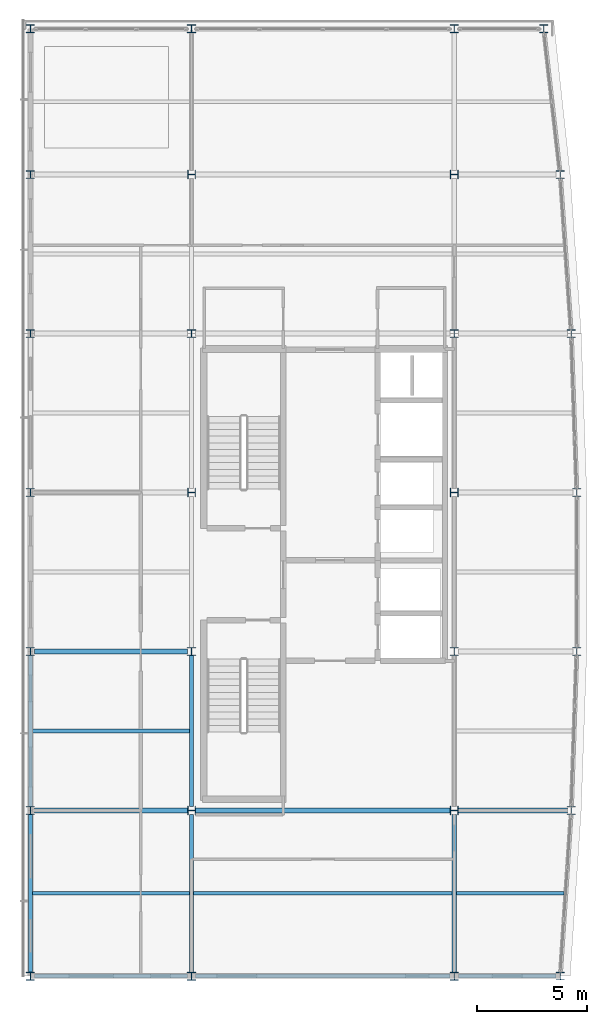
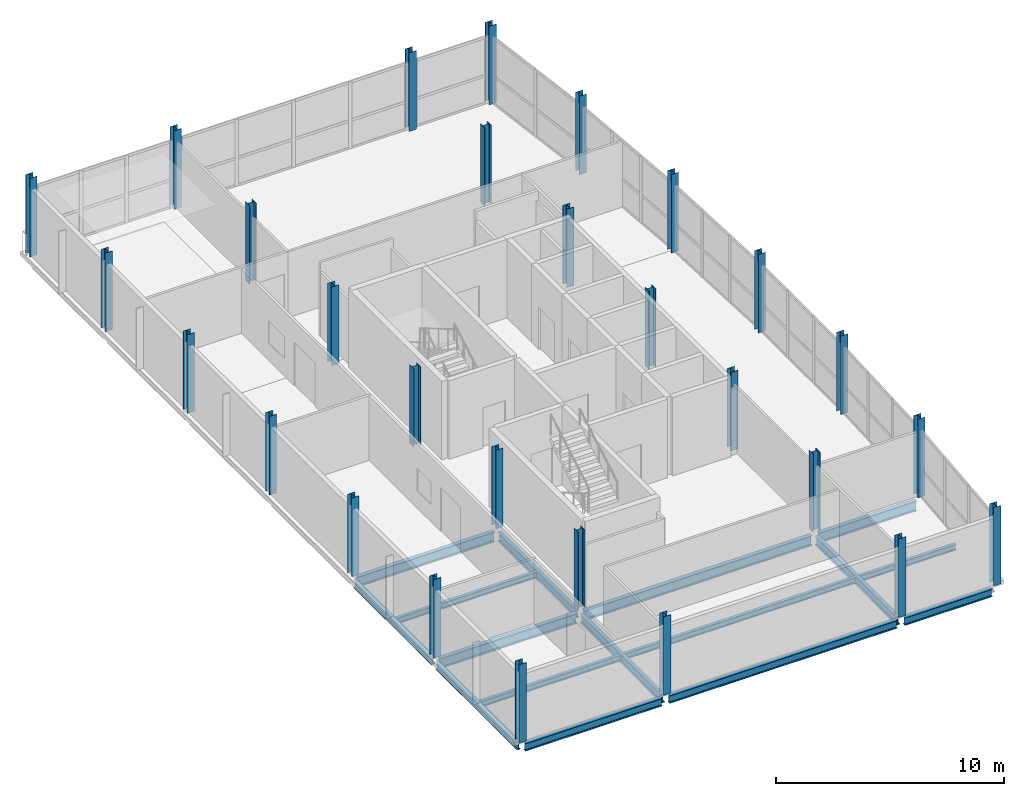
# One storey, part 1 of 17: 28 columns, 16 beams.
"""IFC4 building model written with IfcOpenShell, lengths in metres."""

import ifcopenshell
import ifcopenshell.guid

model = None  # the IFC model being written
_history = None  # IfcOwnerHistory: only IFC2X3 demands one
_inside = {}  # id of a spatial element -> (the spatial element, [elements in it])
_under = {}  # id of a project, library or spatial element -> (it, [spatial elements below it])
_declared = {}  # id of a project -> (the project, [libraries it declares])
_typed = {}  # id of a type object -> (the type object, [elements of that type])
_made_of = {}  # id of a material, layer set ... -> (it, [elements and type objects made of it])


def new_model(schema):
    """Start an empty IFC model of exactly this schema.

    Asked for "IFC4X3", IfcOpenShell would pick the latest addendum, in which some entities
    have other attributes; the version numbers below select the first issue.
    IFC2X3 requires an IfcOwnerHistory on every rooted entity: one is made here for all.
    """
    global model, _history
    if schema == "IFC4X3":
        model = ifcopenshell.file(schema_version=(4, 3, 0, 0))
    else:
        model = ifcopenshell.file(schema=schema)
    _inside.clear()
    _under.clear()
    _declared.clear()
    _typed.clear()
    _made_of.clear()
    _history = None
    if model.schema == "IFC2X3":
        org = make("IfcOrganization", Name="unknown")
        user = make(
            "IfcPersonAndOrganization",
            ThePerson=make("IfcPerson", FamilyName="unknown"),
            TheOrganization=org,
        )
        app = make(
            "IfcApplication",
            ApplicationDeveloper=org,
            Version="unknown",
            ApplicationFullName="unknown",
            ApplicationIdentifier="unknown",
        )
        _history = make(
            "IfcOwnerHistory",
            OwningUser=user,
            OwningApplication=app,
            ChangeAction="ADDED",
            CreationDate=0,
        )
    return model


def make(cls, **values):
    """One entity of the class cls with the attributes given. An attribute that is None is left unset."""
    return model.create_entity(
        cls, **{name: value for name, value in values.items() if value is not None}
    )


def rooted(cls, **values):
    """An entity with a GlobalId (a new one), such as an element, a storey or a relation."""
    return make(cls, GlobalId=ifcopenshell.guid.new(), OwnerHistory=_history, **values)


def si_unit(unit_type, name, prefix=None):
    """IfcSIUnit, for example si_unit("LENGTHUNIT", "METRE", prefix="MILLI")."""
    return make("IfcSIUnit", UnitType=unit_type, Prefix=prefix, Name=name)


def assignment(units):
    """IfcUnitAssignment: the units of a project."""
    return None if units is None else make("IfcUnitAssignment", Units=units)


def point(xyz):
    """IfcCartesianPoint."""
    return None if xyz is None else make("IfcCartesianPoint", Coordinates=xyz)


def direction(xyz):
    """IfcDirection."""
    return None if xyz is None else make("IfcDirection", DirectionRatios=xyz)


def frame(location, z_axis=None, x_axis=None):
    """IfcAxis2Placement3D, a coordinate frame: its origin and axes. An axis left out is left unset."""
    return make(
        "IfcAxis2Placement3D",
        Location=point(location),
        Axis=direction(z_axis),
        RefDirection=direction(x_axis),
    )


def frame_2d(location, x_axis=None):
    """IfcAxis2Placement2D, a coordinate frame in the plane: its origin and x axis."""
    return make(
        "IfcAxis2Placement2D", Location=point(location), RefDirection=direction(x_axis)
    )


def origin():
    """The frame at (0, 0, 0) with its axes left unset."""
    return frame((0.0, 0.0, 0.0))


def origin_2d():
    """The frame at (0, 0) in the plane with its x axis left unset."""
    return frame_2d((0.0, 0.0))


def place(relative_to, where):
    """IfcLocalPlacement: puts the frame where relative to a parent placement (None: the world)."""
    return make(
        "IfcLocalPlacement", PlacementRelTo=relative_to, RelativePlacement=where
    )


def context(
    kind, dimensions, precision=None, world=None, true_north=None, identifier=None
):
    """IfcGeometricRepresentationContext, for example the 3D "Model" context."""
    return make(
        "IfcGeometricRepresentationContext",
        ContextIdentifier=identifier,
        ContextType=kind,
        CoordinateSpaceDimension=dimensions,
        Precision=precision,
        WorldCoordinateSystem=world,
        TrueNorth=true_north,
    )


def subcontext(parent, identifier, kind, view, scale=None):
    """IfcGeometricRepresentationSubContext, for example "Body" below "Model"."""
    return make(
        "IfcGeometricRepresentationSubContext",
        ContextIdentifier=identifier,
        ContextType=kind,
        ParentContext=parent,
        TargetScale=scale,
        TargetView=view,
    )


def project(units=None, contexts=None):
    """IfcProject with its units and contexts."""
    return rooted(
        "IfcProject",
        Name="project",
        RepresentationContexts=contexts,
        UnitsInContext=assignment(units),
    )


def spatial(cls, under=None, at=None, **own):
    """A site, building, storey or space (cls), placed at a placement, below another one or the project."""
    s = rooted(cls, ObjectPlacement=at, **own)
    if under is not None:
        _under.setdefault(under.id(), (under, []))[1].append(s)
    return s


def profile(cls, at=None, kind="AREA", **sizes):
    """A parametric profile (cls). Its sizes go by their IFC names, for example OverallWidth=200.0."""
    return make(cls, ProfileType=kind, Position=at, **sizes)


def i_section(**sizes):
    """IfcIShapeProfileDef."""
    return profile("IfcIShapeProfileDef", **sizes)


def extrude(swept, where, along, depth):
    """IfcExtrudedAreaSolid: the profile swept, set in the frame where, extruded along a direction by depth."""
    return make(
        "IfcExtrudedAreaSolid",
        SweptArea=swept,
        Position=where,
        ExtrudedDirection=direction(along),
        Depth=depth,
    )


def shape(context_of_items, identifier, shape_type, items):
    """IfcShapeRepresentation: the items that make up one representation, for example the "Body"."""
    return make(
        "IfcShapeRepresentation",
        ContextOfItems=context_of_items,
        RepresentationIdentifier=identifier,
        RepresentationType=shape_type,
        Items=items,
    )


def material(Name=None, Category=None):
    """IfcMaterial."""
    return make("IfcMaterial", Name=Name, Category=Category)


def material_profile(
    of_material, cross_section, Name=None, Category=None, Priority=None
):
    """IfcMaterialProfile: a cross section and its material."""
    return make(
        "IfcMaterialProfile",
        Name=Name,
        Material=of_material,
        Profile=cross_section,
        Priority=Priority,
        Category=Category,
    )


def profile_set(profiles, Name=None, composite=None):
    """IfcMaterialProfileSet."""
    return make(
        "IfcMaterialProfileSet",
        Name=Name,
        MaterialProfiles=profiles,
        CompositeProfile=composite,
    )


def made_of(thing, what):
    """Note that an element or type object is made of a material, layer set ...; save() writes the relation."""
    if what is not None:
        _made_of.setdefault(what.id(), (what, []))[1].append(thing)
    return thing


def type_object(cls, material=None, **own):
    """A type object (cls), such as IfcWallType, which elements share."""
    return made_of(rooted(cls, **own), material)


def element(
    cls,
    number,
    at=None,
    inside=None,
    cuts=None,
    type_object=None,
    material=None,
    context=None,
    identifier="Body",
    shape_type=None,
    held_by="IfcProductDefinitionShape",
    body=None,
    shapes=None,
    **own,
):
    """One element of the class cls, such as IfcWall. Its Tag is "e" and its number.

    at: its placement. inside: the storey or other place that contains it. cuts: it is an
    opening in that element (IfcRelVoidsElement). A single representation is given by context,
    identifier, shape_type and body (its items); several are given by shapes. held_by: the class
    of the entity that holds the representations. save() writes the other relations.
    """
    e = rooted(cls, Tag="e%d" % number, ObjectPlacement=at, **own)
    if body is not None:
        shapes = [shape(context, identifier, shape_type, body)]
    if shapes is not None:
        e.Representation = make(held_by, Representations=shapes)
    if inside is not None:
        _inside.setdefault(inside.id(), (inside, []))[1].append(e)
    if cuts is not None:
        rooted(
            "IfcRelVoidsElement", RelatingBuildingElement=cuts, RelatedOpeningElement=e
        )
    if type_object is not None:
        _typed.setdefault(type_object.id(), (type_object, []))[1].append(e)
    return made_of(e, material)


def aggregate(whole, parts):
    """IfcRelAggregates: a whole, such as a stair, and the parts it consists of."""
    return rooted("IfcRelAggregates", RelatingObject=whole, RelatedObjects=parts)


def save(model, path):
    """Write the relations noted so far, then the file.

    IfcRelAggregates (storeys below a building ...), IfcRelContainedInSpatialStructure (elements
    in a storey), IfcRelDefinesByType, IfcRelAssociatesMaterial and IfcRelDeclares: one each for
    every whole, place, type object, material and project.
    """
    for whole, parts in _under.values():
        aggregate(whole, parts)
    for where, things in _inside.values():
        rooted(
            "IfcRelContainedInSpatialStructure",
            RelatedElements=things,
            RelatingStructure=where,
        )
    for kind, things in _typed.values():
        rooted("IfcRelDefinesByType", RelatedObjects=things, RelatingType=kind)
    for what, things in _made_of.values():
        rooted("IfcRelAssociatesMaterial", RelatedObjects=things, RelatingMaterial=what)
    for by, libraries in _declared.values():
        rooted("IfcRelDeclares", RelatingContext=by, RelatedDefinitions=libraries)
    model.write(path)


model = new_model("IFC4")

# Units and contexts
model_context = context("Model", 3, precision=1e-05, world=origin(), true_north=direction((0.0, 1.0)))
body_context = subcontext(model_context, "Body", "Model", "MODEL_VIEW")
ifc_project = project(units=[si_unit("LENGTHUNIT", "METRE"), si_unit("AREAUNIT", "SQUARE_METRE"), si_unit("VOLUMEUNIT", "CUBIC_METRE"), si_unit("PLANEANGLEUNIT", "RADIAN"), si_unit("MASSUNIT", "GRAM", prefix="KILO")], contexts=[model_context])

# Site, building, storey
site_placement = place(None, origin())
site = spatial("IfcSite", under=ifc_project, at=site_placement, CompositionType="ELEMENT")
building_placement = place(site_placement, origin())
building = spatial("IfcBuilding", under=site, at=building_placement, Name="Quillay Park Conservatory", CompositionType="ELEMENT")
storey_placement = place(building_placement, frame((0.0, 0.0, 51.89990234375)))
storey = spatial("IfcBuildingStorey", under=building, at=storey_placement, Name="L12", CompositionType="ELEMENT", Elevation=51.89990234375)

# Columns
ifc_material_1 = material(Name="Steel ASTM A992 Grade 50", Category="steel")
ifc_material_profile_1 = material_profile(ifc_material_1, i_section(OverallWidth=0.368896484375, OverallDepth=0.35595703125, WebThickness=0.01123046875, FlangeThickness=0.01806640625, FilletRadius=0.014892578125, at=origin_2d()), Name="W360x134")
ifc_profile_set_1 = profile_set([ifc_material_profile_1], Name="Steel ASTM A992 Grade 50")
column_type = type_object("IfcColumnType", Name="COMPOSITE STEEL COLUMN W360 X134", PredefinedType="COLUMN", material=ifc_profile_set_1)
for number, where, z_axis, x_axis, name in (
    (1, (0.550048828125, 70.5, 0.0), (0.0, 0.0, 1.0), (1.0, 0.0, 0.0), "L12 column COL-V4-L12-0-0"),
    (2, (7.85009765625, 70.5, 0.0), (0.0, 0.0, 1.0), (1.0, 0.0, 0.0), "L12 column COL-V4-L12-0-1"),
    (3, (19.75, 70.5, 0.0), (0.0, 0.0, 1.0), (1.0, 0.0, 0.0), "L12 column COL-V4-L12-0-2"),
    (4, (24.550048828125, 70.5, 0.0), (0.0, 0.0, 1.0), (1.0, 0.0, 0.0), "L12 column COL-V4-L12-0-3"),
    (5, (0.550048828125, 78.0, 0.0), (0.0, 0.0, 1.0), (1.0, 0.0, 0.0), "L12 column COL-V4-L12-1-0"),
    (6, (7.85009765625, 78.0, 0.0), (0.0, 0.0, 1.0), (0.0, 1.0, 0.0), "L12 column COL-V4-L12-1-1"),
    (7, (19.75, 78.0, 0.0), (0.0, 0.0, 1.0), (0.0, 1.0, 0.0), "L12 column COL-V4-L12-1-2"),
    (8, (25.050048828125, 78.0, 0.0), (0.0, 0.0, 1.0), (1.0, 0.0, 0.0), "L12 column COL-V4-L12-1-3"),
    (9, (0.550048828125, 85.199951171875, 0.0), (0.0, 0.0, 1.0), (1.0, 0.0, 0.0), "L12 column COL-V4-L12-2-0"),
    (10, (7.85009765625, 85.199951171875, 0.0), (0.0, 0.0, 1.0), (1.0, 0.0, 0.0), "L12 column COL-V4-L12-2-1"),
    (11, (19.75, 85.199951171875, 0.0), (0.0, 0.0, 1.0), (1.0, 0.0, 0.0), "L12 column COL-V4-L12-2-2"),
    (12, (25.300048828125, 85.199951171875, 0.0), (0.0, 0.0, 1.0), (1.0, 0.0, 0.0), "L12 column COL-V4-L12-2-3"),
    (13, (0.550048828125, 92.39990234375, 0.0), (0.0, 0.0, 1.0), (1.0, 0.0, 0.0), "L12 column COL-V4-L12-3-0"),
    (14, (7.85009765625, 92.39990234375, 0.0), (0.0, 0.0, 1.0), (0.0, 1.0, 0.0), "L12 column COL-V4-L12-3-1"),
    (15, (19.75, 92.39990234375, 0.0), (0.0, 0.0, 1.0), (0.0, 1.0, 0.0), "L12 column COL-V4-L12-3-2"),
    (16, (25.300048828125, 92.39990234375, 0.0), (0.0, 0.0, 1.0), (1.0, 0.0, 0.0), "L12 column COL-V4-L12-3-3"),
    (17, (0.550048828125, 99.60009765625, 0.0), (0.0, 0.0, 1.0), (1.0, 0.0, 0.0), "L12 column COL-V4-L12-4-0"),
    (18, (7.85009765625, 99.60009765625, 0.0), (0.0, 0.0, 1.0), (1.0, 0.0, 0.0), "L12 column COL-V4-L12-4-1"),
    (19, (19.75, 99.60009765625, 0.0), (0.0, 0.0, 1.0), (1.0, 0.0, 0.0), "L12 column COL-V4-L12-4-2"),
    (20, (25.050048828125, 99.60009765625, 0.0), (0.0, 0.0, 1.0), (1.0, 0.0, 0.0), "L12 column COL-V4-L12-4-3"),
    (21, (0.550048828125, 106.800048828125, 0.0), (0.0, 0.0, 1.0), (1.0, 0.0, 0.0), "L12 column COL-V4-L12-5-0"),
    (22, (7.85009765625, 106.800048828125, 0.0), (0.0, 0.0, 1.0), (0.0, 1.0, 0.0), "L12 column COL-V4-L12-5-1"),
    (23, (19.75, 106.800048828125, 0.0), (0.0, 0.0, 1.0), (0.0, 1.0, 0.0), "L12 column COL-V4-L12-5-2"),
    (24, (24.550048828125, 106.800048828125, 0.0), (0.0, 0.0, 1.0), (1.0, 0.0, 0.0), "L12 column COL-V4-L12-5-3"),
    (25, (0.550048828125, 113.39990234375, 0.0), (0.0, 0.0, 1.0), (1.0, 0.0, 0.0), "L12 column COL-V4-L12-6-0"),
    (26, (7.85009765625, 113.39990234375, 0.0), (0.0, 0.0, 1.0), (1.0, 0.0, 0.0), "L12 column COL-V4-L12-6-1"),
    (27, (19.75, 113.39990234375, 0.0), (0.0, 0.0, 1.0), (1.0, 0.0, 0.0), "L12 column COL-V4-L12-6-2"),
    (28, (23.800048828125, 113.39990234375, 0.0), (0.0, 0.0, 1.0), (1.0, 0.0, 0.0), "L12 column COL-V4-L12-6-3"),
):
    element("IfcColumn", number, at=place(storey_placement, frame(where, z_axis=z_axis, x_axis=x_axis)), inside=storey, type_object=column_type, Name=name, PredefinedType="COLUMN", context=body_context, shape_type="SweptSolid", body=[
        extrude(i_section(OverallWidth=0.368896484375, OverallDepth=0.35595703125, WebThickness=0.01123046875, FlangeThickness=0.01806640625, FilletRadius=0.014892578125, at=origin_2d()), origin(), (0.0, 0.0, 1.0), 4.2001953125),
    ])

# Beams
ifc_material_2 = material(Name="Steel ASTM A992 Grade 50", Category="steel")
ifc_material_profile_2 = material_profile(ifc_material_2, i_section(OverallWidth=0.166015625, OverallDepth=0.31298828125, WebThickness=0.006591796875, FlangeThickness=0.01123046875, FilletRadius=0.010009765625, at=origin_2d()), Name="W310x45")
ifc_profile_set_2 = profile_set([ifc_material_profile_2], Name="Steel ASTM A992 Grade 50")
beam_type_1 = type_object("IfcBeamType", Name="COMPOSITE FLOOR JOIST W310 X45", PredefinedType="JOIST", material=ifc_profile_set_2)
beam_1_placement = place(storey_placement, frame((0.639892578125, 74.25, -0.3564453125), z_axis=(1.0, 0.0, 0.0), x_axis=(0.0, 1.0, 0.0)))
element("IfcBeam", 29, at=beam_1_placement, inside=storey, type_object=beam_type_1, Name="L12 beam BM-J-0849", PredefinedType="JOIST", context=body_context, shape_type="SweptSolid", body=[
    extrude(i_section(OverallWidth=0.166015625, OverallDepth=0.31298828125, WebThickness=0.006591796875, FlangeThickness=0.01123046875, FilletRadius=0.010009765625, at=origin_2d()), origin(), (0.0, 0.0, 1.0), 7.114013671875),
])
beam_2_placement = place(storey_placement, frame((19.845947265625, 74.25, -0.3564453125), z_axis=(1.0, 0.0, 0.0), x_axis=(0.0, 1.0, 0.0)))
element("IfcBeam", 30, at=beam_2_placement, inside=storey, type_object=beam_type_1, Name="L12 beam BM-J-0850", PredefinedType="JOIST", context=body_context, shape_type="SweptSolid", body=[
    extrude(i_section(OverallWidth=0.166015625, OverallDepth=0.31298828125, WebThickness=0.006591796875, FlangeThickness=0.01123046875, FilletRadius=0.010009765625, at=origin_2d()), origin(), (0.0, 0.0, 1.0), 4.864013671875),
])
beam_3_placement = place(storey_placement, frame((7.946044921875, 74.25, -0.3564453125), z_axis=(1.0, 0.0, 0.0), x_axis=(0.0, 1.0, 0.0)))
element("IfcBeam", 31, at=beam_3_placement, inside=storey, type_object=beam_type_1, Name="L12 beam BM-J-0851", PredefinedType="JOIST", context=body_context, shape_type="SweptSolid", body=[
    extrude(i_section(OverallWidth=0.166015625, OverallDepth=0.31298828125, WebThickness=0.006591796875, FlangeThickness=0.01123046875, FilletRadius=0.010009765625, at=origin_2d()), origin(), (0.0, 0.0, 1.0), 11.7080078125),
])
beam_4_placement = place(storey_placement, frame((0.639892578125, 81.60009765625, -0.3564453125), z_axis=(1.0, 0.0, 0.0), x_axis=(0.0, 1.0, 0.0)))
element("IfcBeam", 32, at=beam_4_placement, inside=storey, type_object=beam_type_1, Name="L12 beam BM-J-0856", PredefinedType="JOIST", context=body_context, shape_type="SweptSolid", body=[
    extrude(i_section(OverallWidth=0.166015625, OverallDepth=0.31298828125, WebThickness=0.006591796875, FlangeThickness=0.01123046875, FilletRadius=0.010009765625, at=origin_2d()), origin(), (0.0, 0.0, 1.0), 7.114013671875),
])
ifc_material_3 = material(Name="Steel ASTM A992 Grade 50", Category="steel")
ifc_material_profile_3 = material_profile(ifc_material_3, i_section(OverallWidth=0.179931640625, OverallDepth=0.4130859375, WebThickness=0.009765625, FlangeThickness=0.01611328125, FilletRadius=0.011962890625, at=origin_2d()), Name="W410x74")
ifc_profile_set_3 = profile_set([ifc_material_profile_3], Name="Steel ASTM A992 Grade 50")
beam_type_2 = type_object("IfcBeamType", Name="PERIMETER SPANDREL BEAM W410 X74", PredefinedType="SPANDREL", material=ifc_profile_set_3)
beam_5_placement = place(storey_placement, frame((0.734619140625, 70.5, -0.406494140625), z_axis=(1.0, 0.0, 0.0), x_axis=(0.0, 1.0, 0.0)))
element("IfcBeam", 33, at=beam_5_placement, inside=storey, type_object=beam_type_2, Name="L12 beam BM-SP-0826", PredefinedType="SPANDREL", context=body_context, shape_type="SweptSolid", body=[
    extrude(i_section(OverallWidth=0.179931640625, OverallDepth=0.4130859375, WebThickness=0.009765625, FlangeThickness=0.01611328125, FilletRadius=0.011962890625, at=origin_2d()), origin(), (0.0, 0.0, 1.0), 6.930908203125),
])
beam_6_placement = place(storey_placement, frame((8.034423828125, 70.5, -0.406494140625), z_axis=(1.0, 0.0, 0.0), x_axis=(0.0, 1.0, 0.0)))
element("IfcBeam", 34, at=beam_6_placement, inside=storey, type_object=beam_type_2, Name="L12 beam BM-SP-0827", PredefinedType="SPANDREL", context=body_context, shape_type="SweptSolid", body=[
    extrude(i_section(OverallWidth=0.179931640625, OverallDepth=0.4130859375, WebThickness=0.009765625, FlangeThickness=0.01611328125, FilletRadius=0.011962890625, at=origin_2d()), origin(), (0.0, 0.0, 1.0), 11.531005859375),
])
beam_7_placement = place(storey_placement, frame((19.9345703125, 70.5, -0.406494140625), z_axis=(1.0, 0.0, 0.0), x_axis=(0.0, 1.0, 0.0)))
element("IfcBeam", 35, at=beam_7_placement, inside=storey, type_object=beam_type_2, Name="L12 beam BM-SP-0828", PredefinedType="SPANDREL", context=body_context, shape_type="SweptSolid", body=[
    extrude(i_section(OverallWidth=0.179931640625, OverallDepth=0.4130859375, WebThickness=0.009765625, FlangeThickness=0.01611328125, FilletRadius=0.011962890625, at=origin_2d()), origin(), (0.0, 0.0, 1.0), 4.430908203125),
])
beam_8_placement = place(storey_placement, frame((0.550048828125, 70.677978515625, -0.406494140625), z_axis=(0.0, 1.0, 0.0), x_axis=(-1.0, 0.0, 0.0)))
element("IfcBeam", 36, at=beam_8_placement, inside=storey, type_object=beam_type_2, Name="L12 beam BM-SPW-0845", PredefinedType="SPANDREL", context=body_context, shape_type="SweptSolid", body=[
    extrude(i_section(OverallWidth=0.179931640625, OverallDepth=0.4130859375, WebThickness=0.009765625, FlangeThickness=0.01611328125, FilletRadius=0.011962890625, at=origin_2d()), origin(), (0.0, 0.0, 1.0), 7.14404296875),
])
beam_9_placement = place(storey_placement, frame((0.550048828125, 78.177978515625, -0.406494140625), z_axis=(0.0, 1.0, 0.0), x_axis=(-1.0, 0.0, 0.0)))
element("IfcBeam", 37, at=beam_9_placement, inside=storey, type_object=beam_type_2, Name="L12 beam BM-SPW-0852", PredefinedType="SPANDREL", context=body_context, shape_type="SweptSolid", body=[
    extrude(i_section(OverallWidth=0.179931640625, OverallDepth=0.4130859375, WebThickness=0.009765625, FlangeThickness=0.01611328125, FilletRadius=0.011962890625, at=origin_2d()), origin(), (0.0, 0.0, 1.0), 6.843994140625),
])
ifc_material_4 = material(Name="Steel ASTM A992 Grade 50", Category="steel")
ifc_material_profile_4 = material_profile(ifc_material_4, i_section(OverallWidth=0.19189453125, OverallDepth=0.462890625, WebThickness=0.010498046875, FlangeThickness=0.017578125, FilletRadius=0.012939453125, at=origin_2d()), Name="W460x89")
ifc_profile_set_4 = profile_set([ifc_material_profile_4], Name="Steel ASTM A992 Grade 50")
beam_type_3 = type_object("IfcBeamType", Name="PRIMARY FLOOR GIRDER W460 X89", PredefinedType="BEAM", material=ifc_profile_set_4)
for number, where, z_axis, x_axis, name in (
    (38, (7.85009765625, 70.677978515625, -0.431396484375), (0.0, 1.0, 0.0), (-1.0, 0.0, 0.0), "L12 beam BM-GNS-0847"),
    (39, (19.75, 70.677978515625, -0.431396484375), (0.0, 1.0, 0.0), (-1.0, 0.0, 0.0), "L12 beam BM-GNS-0848"),
):
    element("IfcBeam", number, at=place(storey_placement, frame(where, z_axis=z_axis, x_axis=x_axis)), inside=storey, type_object=beam_type_3, Name=name, PredefinedType="BEAM", context=body_context, shape_type="SweptSolid", body=[
        extrude(i_section(OverallWidth=0.19189453125, OverallDepth=0.462890625, WebThickness=0.010498046875, FlangeThickness=0.017578125, FilletRadius=0.012939453125, at=origin_2d()), origin(), (0.0, 0.0, 1.0), 7.137451171875),
    ])
beam_10_placement = place(storey_placement, frame((7.85009765625, 78.1845703125, -0.431396484375), z_axis=(0.0, 1.0, 0.0), x_axis=(-1.0, 0.0, 0.0)))
element("IfcBeam", 40, at=beam_10_placement, inside=storey, type_object=beam_type_3, Name="L12 beam BM-GNS-0854", PredefinedType="BEAM", context=body_context, shape_type="SweptSolid", body=[
    extrude(i_section(OverallWidth=0.19189453125, OverallDepth=0.462890625, WebThickness=0.010498046875, FlangeThickness=0.017578125, FilletRadius=0.012939453125, at=origin_2d()), origin(), (0.0, 0.0, 1.0), 6.83740234375),
])
ifc_material_5 = material(Name="Steel ASTM A992 Grade 50", Category="steel")
ifc_material_profile_5 = material_profile(ifc_material_5, i_section(OverallWidth=0.2109375, OverallDepth=0.5390625, WebThickness=0.01171875, FlangeThickness=0.018798828125, FilletRadius=0.013916015625, at=origin_2d()), Name="W530x109")
ifc_profile_set_5 = profile_set([ifc_material_profile_5], Name="Steel ASTM A992 Grade 50")
beam_type_4 = type_object("IfcBeamType", Name="PRIMARY FLOOR GIRDER W530 X109", PredefinedType="BEAM", material=ifc_profile_set_5)
beam_11_placement = place(storey_placement, frame((0.734619140625, 78.0, -0.469482421875), z_axis=(1.0, 0.0, 0.0), x_axis=(0.0, 1.0, 0.0)))
element("IfcBeam", 41, at=beam_11_placement, inside=storey, type_object=beam_type_4, Name="L12 beam BM-G-0829", PredefinedType="BEAM", context=body_context, shape_type="SweptSolid", body=[
    extrude(i_section(OverallWidth=0.2109375, OverallDepth=0.5390625, WebThickness=0.01171875, FlangeThickness=0.018798828125, FilletRadius=0.013916015625, at=origin_2d()), origin(), (0.0, 0.0, 1.0), 6.9375),
])
beam_12_placement = place(storey_placement, frame((8.028076171875, 78.0, -0.469482421875), z_axis=(1.0, 0.0, 0.0), x_axis=(0.0, 1.0, 0.0)))
element("IfcBeam", 42, at=beam_12_placement, inside=storey, type_object=beam_type_4, Name="L12 beam BM-G-0830", PredefinedType="BEAM", context=body_context, shape_type="SweptSolid", body=[
    extrude(i_section(OverallWidth=0.2109375, OverallDepth=0.5390625, WebThickness=0.01171875, FlangeThickness=0.018798828125, FilletRadius=0.013916015625, at=origin_2d()), origin(), (0.0, 0.0, 1.0), 11.5439453125),
])
beam_13_placement = place(storey_placement, frame((19.927978515625, 78.0, -0.469482421875), z_axis=(1.0, 0.0, 0.0), x_axis=(0.0, 1.0, 0.0)))
element("IfcBeam", 43, at=beam_13_placement, inside=storey, type_object=beam_type_4, Name="L12 beam BM-G-0831", PredefinedType="BEAM", context=body_context, shape_type="SweptSolid", body=[
    extrude(i_section(OverallWidth=0.2109375, OverallDepth=0.5390625, WebThickness=0.01171875, FlangeThickness=0.018798828125, FilletRadius=0.013916015625, at=origin_2d()), origin(), (0.0, 0.0, 1.0), 4.9375),
])
beam_14_placement = place(storey_placement, frame((0.734619140625, 85.199951171875, -0.469482421875), z_axis=(1.0, 0.0, 0.0), x_axis=(0.0, 1.0, 0.0)))
element("IfcBeam", 44, at=beam_14_placement, inside=storey, type_object=beam_type_4, Name="L12 beam BM-G-0832", PredefinedType="BEAM", context=body_context, shape_type="SweptSolid", body=[
    extrude(i_section(OverallWidth=0.2109375, OverallDepth=0.5390625, WebThickness=0.01171875, FlangeThickness=0.018798828125, FilletRadius=0.013916015625, at=origin_2d()), origin(), (0.0, 0.0, 1.0), 6.930908203125),
])

save(model, "model.ifc")
